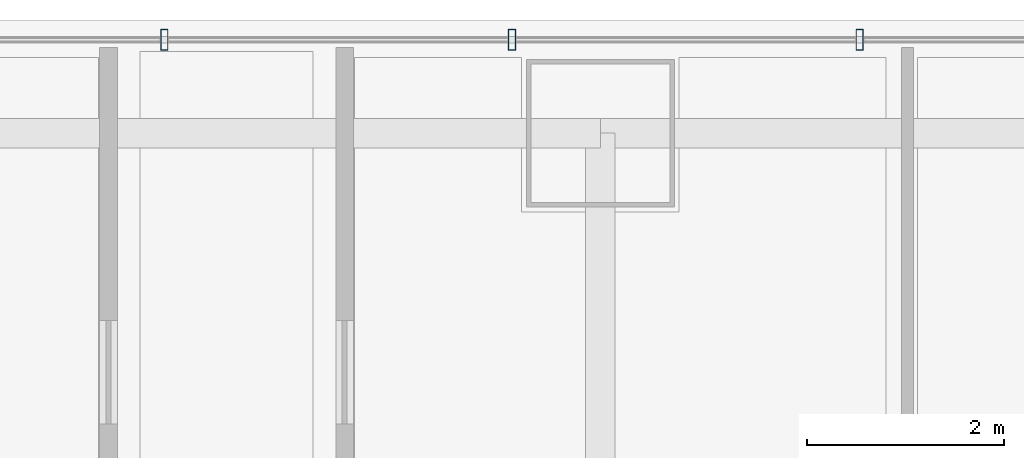
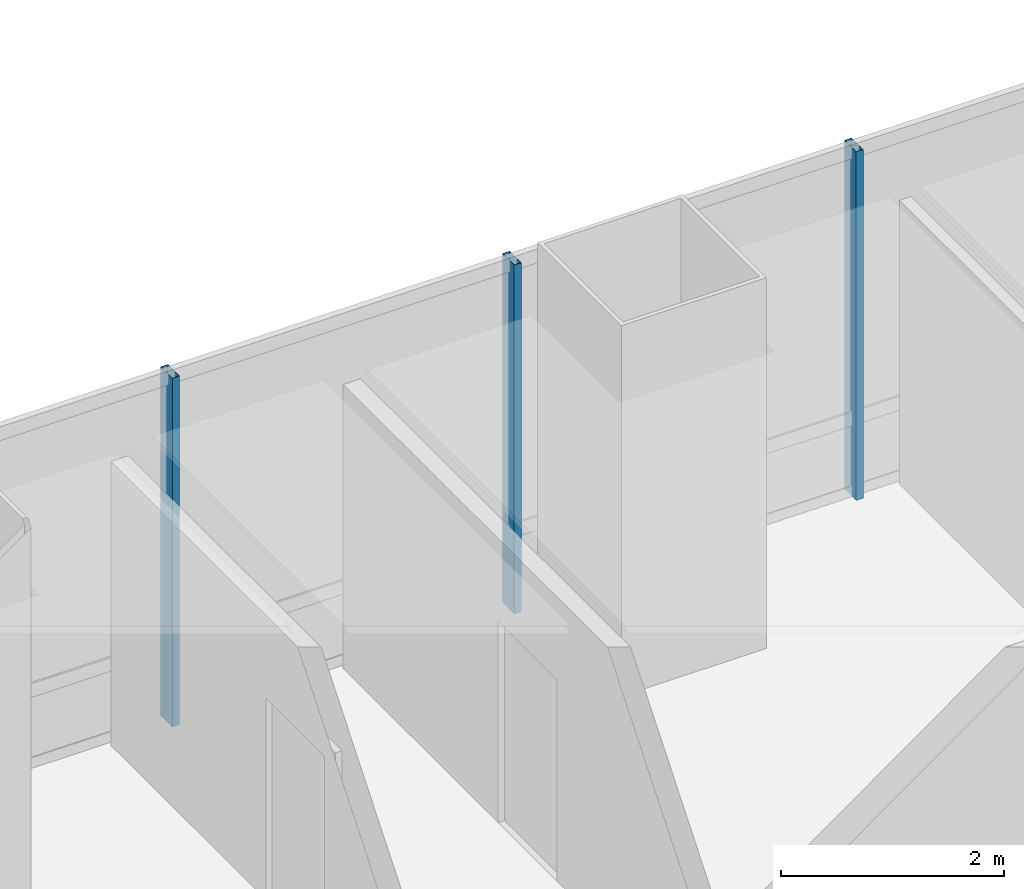
# One storey, part 23 of 36: 3 members, 1 element without a shape of its own.
"""IFC4 building model written with IfcOpenShell, lengths in metres."""

from ifc_helpers import new_model, si_unit, direction, frame, origin, origin_2d, place, context, subcontext, project, spatial, hollow_rectangle, extrude, material, material_profile, profile_set, type_object, element, aggregate, save


model = new_model("IFC4")

# Units and contexts
model_context = context("Model", 3, precision=1e-05, world=origin(), true_north=direction((0.0, 1.0)))
body_context = subcontext(model_context, "Body", "Model", "MODEL_VIEW")
ifc_project = project(units=[si_unit("LENGTHUNIT", "METRE"), si_unit("AREAUNIT", "SQUARE_METRE"), si_unit("VOLUMEUNIT", "CUBIC_METRE"), si_unit("PLANEANGLEUNIT", "RADIAN"), si_unit("MASSUNIT", "GRAM", prefix="KILO")], contexts=[model_context])

# Site, building, storey
site_placement = place(None, origin())
site = spatial("IfcSite", under=ifc_project, at=site_placement, CompositionType="ELEMENT")
building_placement = place(site_placement, origin())
building = spatial("IfcBuilding", under=site, at=building_placement, Name="Punatoya Terracotta Tower", CompositionType="ELEMENT")
storey_placement = place(building_placement, frame((0.0, 0.0, 32.25)))
storey = spatial("IfcBuildingStorey", under=building, at=storey_placement, Name="L06", CompositionType="ELEMENT", Elevation=32.25)

# Curtain wall, members
ifc_material_1 = material(Name="Aluminium 6063-T6 + Double Low-E Glass", Category="aluminium")
curtain_wall_type = type_object("IfcCurtainWallType", Name="CW-M1", PredefinedType="NOTDEFINED", material=ifc_material_1)
curtain_wall_placement = place(storey_placement, origin())
curtain_wall = element("IfcCurtainWall", 1, at=curtain_wall_placement, inside=storey, type_object=curtain_wall_type, Name="L06 Curtain Wall CW-L06-N09-1", PredefinedType="NOTDEFINED")
ifc_material_2 = material(Name="Aluminium 6063-T6", Category="aluminium")
ifc_material_profile = material_profile(ifc_material_2, hollow_rectangle(XDim=0.074951171875, YDim=0.2099609375, WallThickness=0.00439453125, at=origin_2d()))
ifc_profile_set = profile_set([ifc_material_profile], Name="Aluminium 6063-T6")
member_type = type_object("IfcMemberType", Name="CW-MUL-M1", PredefinedType="MULLION", material=ifc_profile_set)
member_1_placement = place(storey_placement, frame((6.43505859375, 18.449951171875, 0.0), z_axis=(0.0, 0.0, 1.0), x_axis=(1.0, 0.0, 0.0)))
member_1 = element("IfcMember", 2, at=member_1_placement, type_object=member_type, Name="CW-L06-N09-1 Mullion 03", PredefinedType="MULLION", context=body_context, shape_type="SweptSolid", body=[
    extrude(hollow_rectangle(XDim=0.074951171875, YDim=0.2099609375, WallThickness=0.00439453125, at=origin_2d()), origin(), (0.0, 0.0, 1.0), 3.81005859375),
])
member_2_placement = place(storey_placement, frame((2.90087890625, 18.449951171875, 0.0), z_axis=(0.0, 0.0, 1.0), x_axis=(1.0, 0.0, 0.0)))
member_2 = element("IfcMember", 3, at=member_2_placement, type_object=member_type, Name="CW-L06-N09-1 Mullion 04", PredefinedType="MULLION", context=body_context, shape_type="SweptSolid", body=[
    extrude(hollow_rectangle(XDim=0.074951171875, YDim=0.2099609375, WallThickness=0.00439453125, at=origin_2d()), origin(), (0.0, 0.0, 1.0), 3.81005859375),
])
member_3_placement = place(storey_placement, frame((-0.633056640625, 18.449951171875, 0.0), z_axis=(0.0, 0.0, 1.0), x_axis=(1.0, 0.0, 0.0)))
member_3 = element("IfcMember", 4, at=member_3_placement, type_object=member_type, Name="CW-L06-N09-1 Mullion 05", PredefinedType="MULLION", context=body_context, shape_type="SweptSolid", body=[
    extrude(hollow_rectangle(XDim=0.074951171875, YDim=0.2099609375, WallThickness=0.00439453125, at=origin_2d()), origin(), (0.0, 0.0, 1.0), 3.81005859375),
])
aggregate(curtain_wall, [member_1, member_2, member_3])

save(model, "model.ifc")
